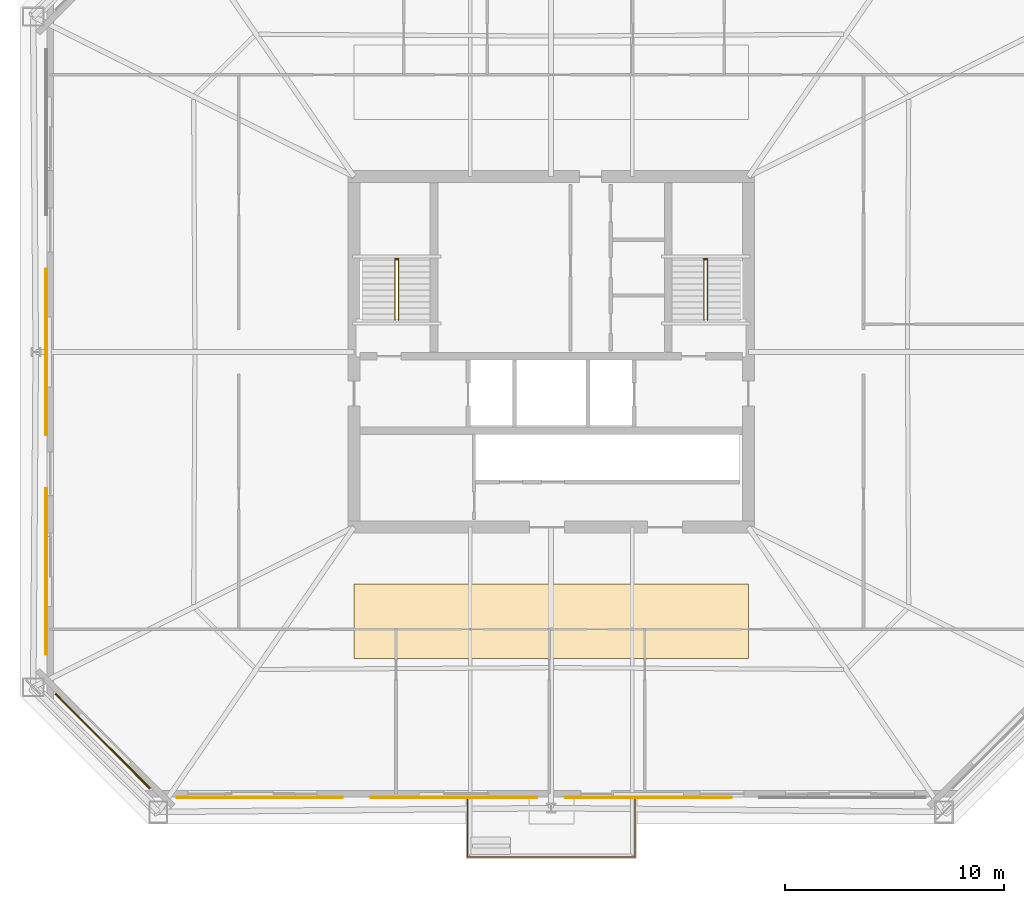
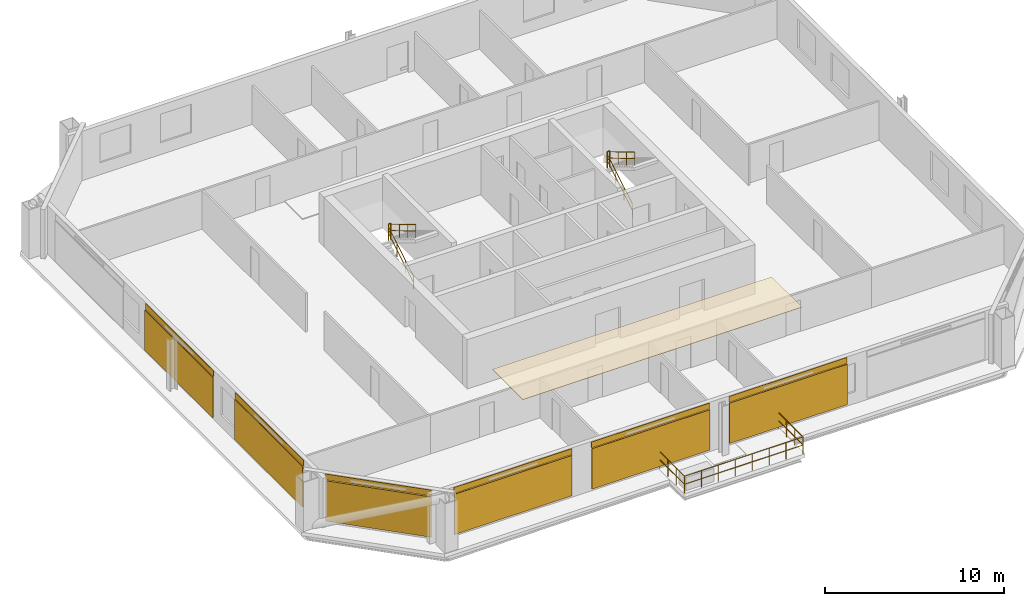
# One storey, part 6 of 7: 7 coverings, 7 railings, 6 shading devices.
"""IFC4 building model written with IfcOpenShell, lengths in metres."""

from ifc_helpers import new_model, si_unit, direction, frame, origin, origin_2d, place, context, subcontext, project, spatial, polyline, rectangle, circle, outline, extrude, material, layer, layer_set, type_object, element, save


model = new_model("IFC4")

# Units and contexts
model_context = context("Model", 3, precision=1e-05, world=origin(), true_north=direction((0.0, 1.0)))
body_context = subcontext(model_context, "Body", "Model", "MODEL_VIEW")
ifc_project = project(units=[si_unit("LENGTHUNIT", "METRE"), si_unit("AREAUNIT", "SQUARE_METRE"), si_unit("VOLUMEUNIT", "CUBIC_METRE"), si_unit("PLANEANGLEUNIT", "RADIAN"), si_unit("MASSUNIT", "GRAM", prefix="KILO")], contexts=[model_context])

# Site, building, storey
site_placement = place(None, origin())
site = spatial("IfcSite", under=ifc_project, at=site_placement, CompositionType="ELEMENT")
building_placement = place(site_placement, origin())
building = spatial("IfcBuilding", under=site, at=building_placement, Name="Caelvoria Tower", CompositionType="ELEMENT")
storey_placement = place(building_placement, frame((0.0, 0.0, 109.60009765625)))
storey = spatial("IfcBuildingStorey", under=building, at=storey_placement, Name="L28", CompositionType="ELEMENT", Elevation=109.60009765625)

# Railing
ifc_material_1 = material(Name="Bronze Anodised Aluminium and Stainless Steel", Category="steel")
railing_type_1 = type_object("IfcRailingType", Name="Exterior Terrace and Balcony Guardrail 1150", PredefinedType="GUARDRAIL", material=ifc_material_1)
railing_1_placement = place(storey_placement, frame((42.179931640625, 11.68994140625, 0.0)))
element("IfcRailing", 1, at=railing_1_placement, inside=storey, type_object=railing_type_1, Name="Tree Balcony Guardrail TB-L28-S", PredefinedType="GUARDRAIL", context=body_context, shape_type="SweptSolid", body=[
    extrude(circle(Radius=0.02392578125, at=origin_2d()), frame((0.0, 0.0, 1.1259765625), z_axis=(0.0, -1.0, 0.0), x_axis=(1.0, 0.0, 0.0)), (0.0, 0.0, 1.0), 2.760009765625),
    extrude(circle(Radius=0.02392578125, at=origin_2d()), frame((0.0, 0.0, 0.574951171875), z_axis=(0.0, -1.0, 0.0), x_axis=(1.0, 0.0, 0.0)), (0.0, 0.0, 1.0), 2.760009765625),
    extrude(circle(Radius=0.02392578125, at=origin_2d()), frame((0.0, -2.760009765625, 1.1259765625), z_axis=(1.0, 0.0, 0.0), x_axis=(0.0, 1.0, 0.0)), (0.0, 0.0, 1.0), 7.64013671875),
    extrude(circle(Radius=0.02392578125, at=origin_2d()), frame((0.0, -2.760009765625, 0.574951171875), z_axis=(1.0, 0.0, 0.0), x_axis=(0.0, 1.0, 0.0)), (0.0, 0.0, 1.0), 7.64013671875),
    extrude(circle(Radius=0.02392578125, at=origin_2d()), frame((7.64013671875, -2.760009765625, 1.1259765625), z_axis=(0.0, 1.0, 0.0), x_axis=(-1.0, 0.0, 0.0)), (0.0, 0.0, 1.0), 2.760009765625),
    extrude(circle(Radius=0.02392578125, at=origin_2d()), frame((7.64013671875, -2.760009765625, 0.574951171875), z_axis=(0.0, 1.0, 0.0), x_axis=(-1.0, 0.0, 0.0)), (0.0, 0.0, 1.0), 2.760009765625),
    extrude(circle(Radius=0.02099609375, at=origin_2d()), origin(), (0.0, 0.0, 1.0), 1.101806640625),
    extrude(circle(Radius=0.02099609375, at=origin_2d()), frame((0.0, -0.919921875, 0.0)), (0.0, 0.0, 1.0), 1.101806640625),
    extrude(circle(Radius=0.02099609375, at=origin_2d()), frame((0.0, -1.840087890625, 0.0)), (0.0, 0.0, 1.0), 1.101806640625),
    extrude(circle(Radius=0.02099609375, at=origin_2d()), frame((0.0, -2.760009765625, 0.0)), (0.0, 0.0, 1.0), 1.101806640625),
    extrude(circle(Radius=0.02099609375, at=origin_2d()), frame((1.091552734375, -2.760009765625, 0.0)), (0.0, 0.0, 1.0), 1.101806640625),
    extrude(circle(Radius=0.02099609375, at=origin_2d()), frame((2.182861328125, -2.760009765625, 0.0)), (0.0, 0.0, 1.0), 1.101806640625),
    extrude(circle(Radius=0.02099609375, at=origin_2d()), frame((3.2744140625, -2.760009765625, 0.0)), (0.0, 0.0, 1.0), 1.101806640625),
    extrude(circle(Radius=0.02099609375, at=origin_2d()), frame((4.36572265625, -2.760009765625, 0.0)), (0.0, 0.0, 1.0), 1.101806640625),
    extrude(circle(Radius=0.02099609375, at=origin_2d()), frame((5.457275390625, -2.760009765625, 0.0)), (0.0, 0.0, 1.0), 1.101806640625),
    extrude(circle(Radius=0.02099609375, at=origin_2d()), frame((6.548583984375, -2.760009765625, 0.0)), (0.0, 0.0, 1.0), 1.101806640625),
    extrude(circle(Radius=0.02099609375, at=origin_2d()), frame((7.64013671875, -2.760009765625, 0.0)), (0.0, 0.0, 1.0), 1.101806640625),
    extrude(circle(Radius=0.02099609375, at=origin_2d()), frame((7.64013671875, -1.840087890625, 0.0)), (0.0, 0.0, 1.0), 1.101806640625),
    extrude(circle(Radius=0.02099609375, at=origin_2d()), frame((7.64013671875, -0.919921875, 0.0)), (0.0, 0.0, 1.0), 1.101806640625),
    extrude(circle(Radius=0.02099609375, at=origin_2d()), frame((7.64013671875, 0.0, 0.0)), (0.0, 0.0, 1.0), 1.101806640625),
])

# Coverings
ifc_material_2 = material(Name="Acoustic Mineral Fibre Tile", Category="gypsum")
ifc_layer_1 = layer(ifc_material_2, 0.02490234375, Name="Acoustic Mineral Fibre Tile")
ifc_layer_set_1 = layer_set([ifc_layer_1], Name="Mineral-Fibre Acoustic Suspended Ceiling 25 - Acoustic Mineral Fibre Tile")
covering_type_1 = type_object("IfcCoveringType", Name="Mineral-Fibre Acoustic Suspended Ceiling 25", PredefinedType="CEILING", material=ifc_layer_set_1)
covering_1_placement = place(storey_placement, frame((0.0, 0.0, 2.635009765625)))
element("IfcCovering", 2, at=covering_1_placement, inside=storey, type_object=covering_type_1, Name="Suspended Acoustic Ceiling L28", PredefinedType="CEILING", context=body_context, shape_type="SweptSolid", body=[
    extrude(outline(polyline([(37.0, 18.0), (55.0, 18.0), (55.0, 21.39990234375), (37.0, 21.39990234375), (37.0, 18.0)])), origin(), (0.0, 0.0, 1.0), 0.02490234375),
])
ifc_material_3 = material(Name="Perforated Architectural Bronze Cladding Screen", Category="bronze")
ifc_layer_2 = layer(ifc_material_3, 0.0400390625, Name="Perforated Architectural Bronze Cladding Screen")
ifc_layer_set_2 = layer_set([ifc_layer_2], Name="Perforated Bronze Louvre Cladding Band 40 - Perforated Architectural Bronze Cladding Screen")
covering_type_2 = type_object("IfcCoveringType", Name="Perforated Bronze Louvre Cladding Band 40", PredefinedType="CLADDING", material=ifc_layer_set_2)
for number, where, z_axis, x_axis, name in (
    (3, (32.695068359375, 11.677978515625, 2.93994140625), (0.0, 0.0, 1.0), (1.0, 0.0, 0.0), "Perforated Bronze Screen Band L28-E0-00"),
    (4, (41.56494140625, 11.677978515625, 2.93994140625), (0.0, 0.0, 1.0), (1.0, 0.0, 0.0), "Perforated Bronze Screen Band L28-E0-01"),
    (5, (50.43505859375, 11.677978515625, 2.93994140625), (0.0, 0.0, 1.0), (1.0, 0.0, 0.0), "Perforated Bronze Screen Band L28-E0-02"),
    (6, (22.97802734375, 32.0, 2.93994140625), (0.0, 0.0, 1.0), (0.0, -1.0, 0.0), "Perforated Bronze Screen Band L28-E6-01"),
    (7, (22.97802734375, 21.973388671875, 2.93994140625), (0.0, 0.0, 1.0), (0.0, -1.0, 0.0), "Perforated Bronze Screen Band L28-E6-02"),
):
    element("IfcCovering", number, at=place(storey_placement, frame(where, z_axis=z_axis, x_axis=x_axis)), inside=storey, type_object=covering_type_2, Name=name, PredefinedType="CLADDING", context=body_context, shape_type="SweptSolid", body=[
        extrude(rectangle(XDim=7.60009765625, YDim=0.0400390625, at=origin_2d()), origin(), (0.0, 0.0, 1.0), 0.39990234375),
    ])
covering_2_placement = place(storey_placement, frame((25.543212890625, 14.243408203125, 2.93994140625), z_axis=(0.0, 0.0, 1.0), x_axis=(0.707106781187, -0.707106781187, 0.0)))
element("IfcCovering", 8, at=covering_2_placement, inside=storey, type_object=covering_type_2, Name="Perforated Bronze Screen Band L28-E7-00", PredefinedType="CLADDING", context=body_context, shape_type="SweptSolid", body=[
    extrude(rectangle(XDim=6.118896484375, YDim=0.0400390625, at=origin_2d()), origin(), (0.0, 0.0, 1.0), 0.39990234375),
])

# Shading devices
ifc_material_4 = material(Name="Perforated Architectural Bronze Alloy Panel", Category="bronze")
ifc_layer_3 = layer(ifc_material_4, 0.044921875, Name="Perforated Architectural Bronze Alloy Panel")
ifc_layer_set_3 = layer_set([ifc_layer_3], Name="Perforated Bronze Solar Screen Panel SCREEN - Perforated Architectural Bronze Alloy Panel")
shading_device_type = type_object("IfcShadingDeviceType", Name="Perforated Bronze Solar Screen Panel SCREEN", PredefinedType="USERDEFINED", material=ifc_layer_set_3)
for number, where, z_axis, x_axis, name in (
    (9, (32.695068359375, 11.635009765625, 0.159912109375), (0.0, 0.0, 1.0), (1.0, 0.0, 0.0), "Perforated Bronze Solar Screen L28-E0-00"),
    (10, (41.56494140625, 11.635009765625, 0.159912109375), (0.0, 0.0, 1.0), (1.0, 0.0, 0.0), "Perforated Bronze Solar Screen L28-E0-01"),
    (11, (50.43505859375, 11.635009765625, 0.159912109375), (0.0, 0.0, 1.0), (1.0, 0.0, 0.0), "Perforated Bronze Solar Screen L28-E0-02"),
    (12, (22.93505859375, 32.0, 0.159912109375), (0.0, 0.0, 1.0), (0.0, -1.0, 0.0), "Perforated Bronze Solar Screen L28-E6-01"),
    (13, (22.93505859375, 21.973388671875, 0.159912109375), (0.0, 0.0, 1.0), (0.0, -1.0, 0.0), "Perforated Bronze Solar Screen L28-E6-02"),
):
    element("IfcShadingDevice", number, at=place(storey_placement, frame(where, z_axis=z_axis, x_axis=x_axis)), inside=storey, type_object=shading_device_type, Name=name, ObjectType="SCREEN", PredefinedType="USERDEFINED", context=body_context, shape_type="SweptSolid", body=[
        extrude(rectangle(XDim=7.60009765625, YDim=0.044921875, at=origin_2d()), origin(), (0.0, 0.0, 1.0), 2.75),
    ])
shading_device_placement = place(storey_placement, frame((25.512939453125, 14.212890625, 0.159912109375), z_axis=(0.0, 0.0, 1.0), x_axis=(0.707106781187, -0.707106781187, 0.0)))
element("IfcShadingDevice", 14, at=shading_device_placement, inside=storey, type_object=shading_device_type, Name="Perforated Bronze Solar Screen L28-E7-00", ObjectType="SCREEN", PredefinedType="USERDEFINED", context=body_context, shape_type="SweptSolid", body=[
    extrude(rectangle(XDim=6.118896484375, YDim=0.044921875, at=origin_2d()), origin(), (0.0, 0.0, 1.0), 2.75),
])

# Railings
ifc_material_5 = material(Name="Brushed Stainless Steel Tube", Category="steel")
railing_type_2 = type_object("IfcRailingType", Name="Stair Tubular Stainless Handrail 920", PredefinedType="HANDRAIL", material=ifc_material_5)
railing_2_placement = place(storey_placement, frame((38.8701171875, 33.449951171875, 0.16357421875)))
element("IfcRailing", 15, at=railing_2_placement, inside=storey, type_object=railing_type_2, Name="ST-01 Flight 1 Handrail L28", PredefinedType="HANDRAIL", context=body_context, shape_type="SweptSolid", body=[
    extrude(circle(Radius=0.02392578125, at=origin_2d()), frame((0.0, 0.0, 0.89599609375), z_axis=(0.0, 0.859385484447, 0.511328259656), x_axis=(-1.0, 0.0, 0.0)), (0.0, 0.0, 1.0), 3.199951171875),
    extrude(circle(Radius=0.02392578125, at=origin_2d()), frame((0.0, 0.0, 0.4599609375), z_axis=(0.0, 0.859385484447, 0.511328259656), x_axis=(-1.0, 0.0, 0.0)), (0.0, 0.0, 1.0), 3.199951171875),
    extrude(circle(Radius=0.02099609375, at=origin_2d()), origin(), (0.0, 0.0, 1.0), 0.871826171875),
    extrude(circle(Radius=0.02099609375, at=origin_2d()), frame((0.0, 0.916748046875, 0.54541015625)), (0.0, 0.0, 1.0), 0.871826171875),
    extrude(circle(Radius=0.02099609375, at=origin_2d()), frame((0.0, 1.833251953125, 1.0908203125)), (0.0, 0.0, 1.0), 0.871826171875),
    extrude(circle(Radius=0.02099609375, at=origin_2d()), frame((0.0, 2.75, 1.63623046875)), (0.0, 0.0, 1.0), 0.871826171875),
])
railing_3_placement = place(storey_placement, frame((39.030029296875, 36.199951171875, 1.963623046875)))
element("IfcRailing", 16, at=railing_3_placement, inside=storey, type_object=railing_type_2, Name="ST-01 Flight 2 Handrail L28", PredefinedType="HANDRAIL", context=body_context, shape_type="SweptSolid", body=[
    extrude(circle(Radius=0.02392578125, at=origin_2d()), frame((0.0, 0.0, 0.89599609375), z_axis=(0.0, -0.859385484447, 0.511328259656), x_axis=(1.0, 0.0, 0.0)), (0.0, 0.0, 1.0), 3.199951171875),
    extrude(circle(Radius=0.02392578125, at=origin_2d()), frame((0.0, 0.0, 0.4599609375), z_axis=(0.0, -0.859385484447, 0.511328259656), x_axis=(1.0, 0.0, 0.0)), (0.0, 0.0, 1.0), 3.199951171875),
    extrude(circle(Radius=0.02099609375, at=origin_2d()), origin(), (0.0, 0.0, 1.0), 0.871826171875),
    extrude(circle(Radius=0.02099609375, at=origin_2d()), frame((0.0, -0.916748046875, 0.54541015625)), (0.0, 0.0, 1.0), 0.871826171875),
    extrude(circle(Radius=0.02099609375, at=origin_2d()), frame((0.0, -1.833251953125, 1.0908203125)), (0.0, 0.0, 1.0), 0.871826171875),
    extrude(circle(Radius=0.02099609375, at=origin_2d()), frame((0.0, -2.75, 1.63623046875)), (0.0, 0.0, 1.0), 0.871826171875),
])
railing_4_placement = place(storey_placement, frame((52.969970703125, 33.449951171875, 0.16357421875)))
element("IfcRailing", 17, at=railing_4_placement, inside=storey, type_object=railing_type_2, Name="ST-02 Flight 1 Handrail L28", PredefinedType="HANDRAIL", context=body_context, shape_type="SweptSolid", body=[
    extrude(circle(Radius=0.02392578125, at=origin_2d()), frame((0.0, 0.0, 0.89599609375), z_axis=(0.0, 0.859385484447, 0.511328259656), x_axis=(-1.0, 0.0, 0.0)), (0.0, 0.0, 1.0), 3.199951171875),
    extrude(circle(Radius=0.02392578125, at=origin_2d()), frame((0.0, 0.0, 0.4599609375), z_axis=(0.0, 0.859385484447, 0.511328259656), x_axis=(-1.0, 0.0, 0.0)), (0.0, 0.0, 1.0), 3.199951171875),
    extrude(circle(Radius=0.02099609375, at=origin_2d()), origin(), (0.0, 0.0, 1.0), 0.871826171875),
    extrude(circle(Radius=0.02099609375, at=origin_2d()), frame((0.0, 0.916748046875, 0.54541015625)), (0.0, 0.0, 1.0), 0.871826171875),
    extrude(circle(Radius=0.02099609375, at=origin_2d()), frame((0.0, 1.833251953125, 1.0908203125)), (0.0, 0.0, 1.0), 0.871826171875),
    extrude(circle(Radius=0.02099609375, at=origin_2d()), frame((0.0, 2.75, 1.63623046875)), (0.0, 0.0, 1.0), 0.871826171875),
])
railing_5_placement = place(storey_placement, frame((53.1298828125, 36.199951171875, 1.963623046875)))
element("IfcRailing", 18, at=railing_5_placement, inside=storey, type_object=railing_type_2, Name="ST-02 Flight 2 Handrail L28", PredefinedType="HANDRAIL", context=body_context, shape_type="SweptSolid", body=[
    extrude(circle(Radius=0.02392578125, at=origin_2d()), frame((0.0, 0.0, 0.89599609375), z_axis=(0.0, -0.859385484447, 0.511328259656), x_axis=(1.0, 0.0, 0.0)), (0.0, 0.0, 1.0), 3.199951171875),
    extrude(circle(Radius=0.02392578125, at=origin_2d()), frame((0.0, 0.0, 0.4599609375), z_axis=(0.0, -0.859385484447, 0.511328259656), x_axis=(1.0, 0.0, 0.0)), (0.0, 0.0, 1.0), 3.199951171875),
    extrude(circle(Radius=0.02099609375, at=origin_2d()), origin(), (0.0, 0.0, 1.0), 0.871826171875),
    extrude(circle(Radius=0.02099609375, at=origin_2d()), frame((0.0, -0.916748046875, 0.54541015625)), (0.0, 0.0, 1.0), 0.871826171875),
    extrude(circle(Radius=0.02099609375, at=origin_2d()), frame((0.0, -1.833251953125, 1.0908203125)), (0.0, 0.0, 1.0), 0.871826171875),
    extrude(circle(Radius=0.02099609375, at=origin_2d()), frame((0.0, -2.75, 1.63623046875)), (0.0, 0.0, 1.0), 0.871826171875),
])
ifc_material_6 = material(Name="Brushed Stainless Steel Guardrail", Category="steel")
railing_type_3 = type_object("IfcRailingType", Name="Stair Well and Ramp Guardrail 1120", PredefinedType="GUARDRAIL", material=ifc_material_6)
for number, where, name in (
    (19, (38.8701171875, 36.239990234375, 1.7998046875), "ST-01 Half-Landing Well Guard L28"),
    (20, (52.969970703125, 36.239990234375, 1.7998046875), "ST-02 Half-Landing Well Guard L28"),
):
    element("IfcRailing", number, at=place(storey_placement, frame(where)), inside=storey, type_object=railing_type_3, Name=name, PredefinedType="GUARDRAIL", context=body_context, shape_type="SweptSolid", body=[
        extrude(circle(Radius=0.02392578125, at=origin_2d()), frame((0.0, 0.0, 1.09619140625), z_axis=(1.0, 0.0, 0.0), x_axis=(0.0, 1.0, 0.0)), (0.0, 0.0, 1.0), 0.159912109375),
        extrude(circle(Radius=0.02392578125, at=origin_2d()), frame((0.0, 0.0, 0.56005859375), z_axis=(1.0, 0.0, 0.0), x_axis=(0.0, 1.0, 0.0)), (0.0, 0.0, 1.0), 0.159912109375),
        extrude(circle(Radius=0.02099609375, at=origin_2d()), origin(), (0.0, 0.0, 1.0), 1.072021484375),
        extrude(circle(Radius=0.02099609375, at=origin_2d()), frame((0.159912109375, 0.0, 0.0)), (0.0, 0.0, 1.0), 1.072021484375),
    ])

save(model, "model.ifc")
